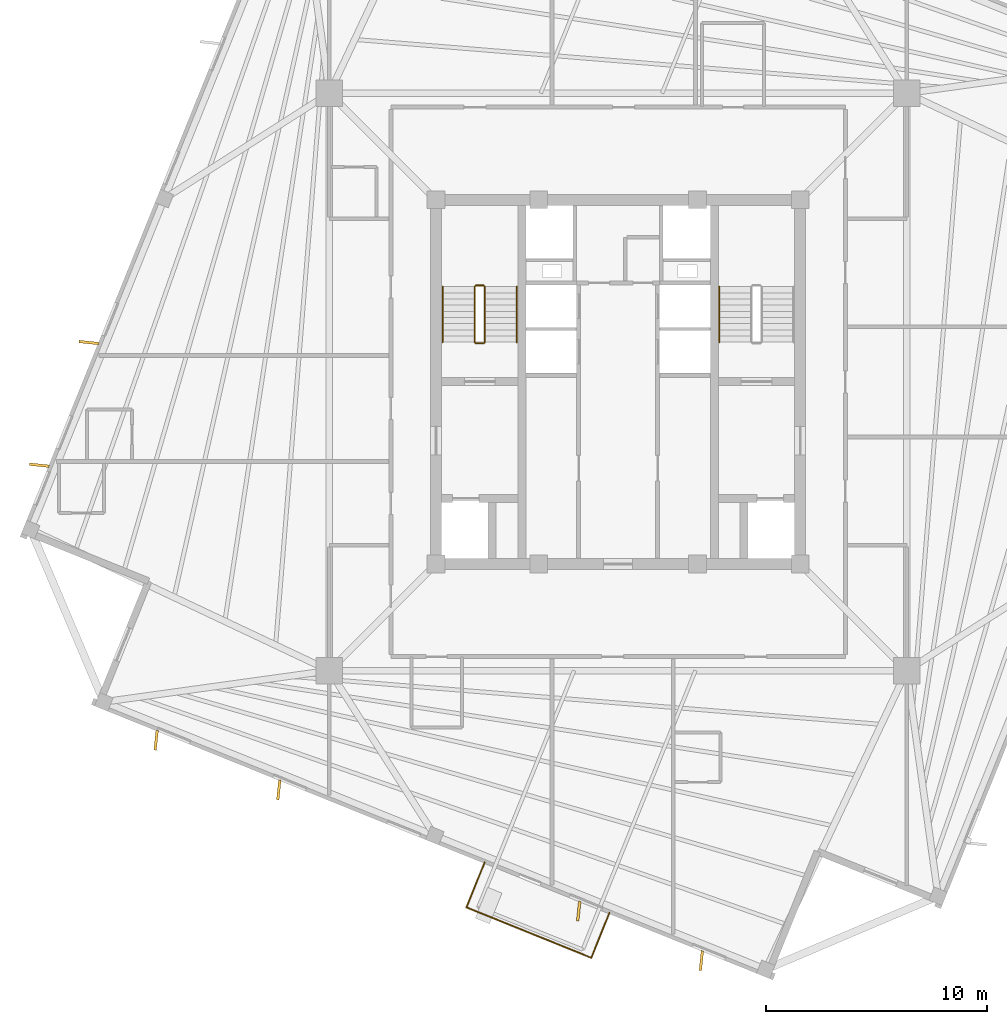
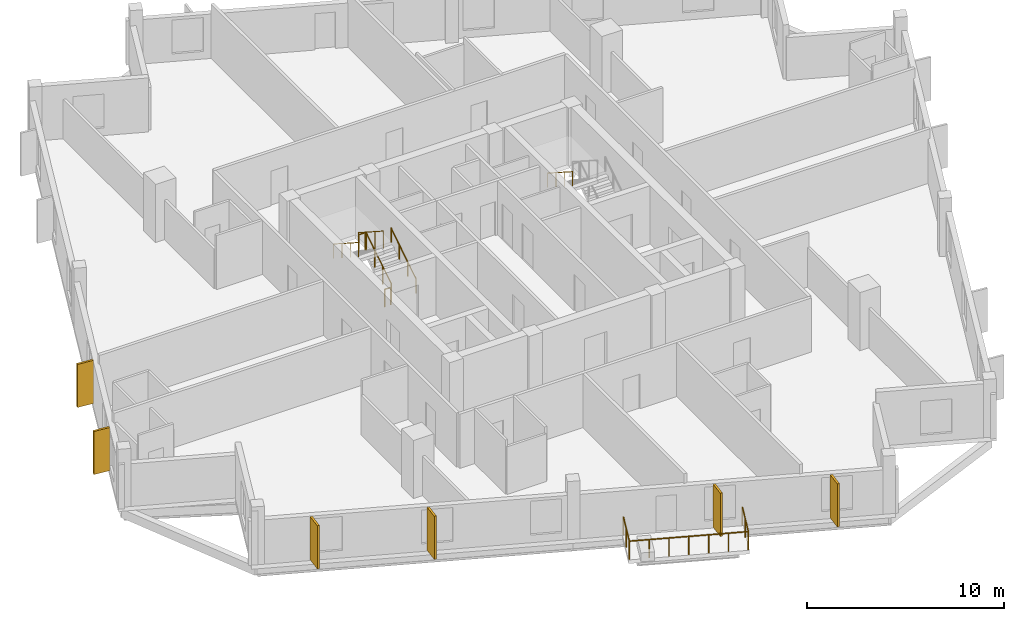
# One storey, part 6 of 8: 10 railings, 6 coverings.
"""IFC4 building model written with IfcOpenShell, lengths in metres."""

from ifc_helpers import new_model, si_unit, direction, frame, origin, origin_2d, place, context, subcontext, project, spatial, rectangle, circle, extrude, source, transform, mapped, material, layer, layer_set, type_object, element, save


model = new_model("IFC4")

# Units and contexts
model_context = context("Model", 3, precision=1e-05, world=origin(), true_north=direction((0.0, 1.0)))
body_context = subcontext(model_context, "Body", "Model", "MODEL_VIEW")
ifc_project = project(units=[si_unit("LENGTHUNIT", "METRE"), si_unit("AREAUNIT", "SQUARE_METRE"), si_unit("VOLUMEUNIT", "CUBIC_METRE"), si_unit("PLANEANGLEUNIT", "RADIAN"), si_unit("MASSUNIT", "GRAM", prefix="KILO"), si_unit("THERMODYNAMICTEMPERATUREUNIT", "KELVIN")], contexts=[model_context])

# Site, building, storey
site_placement = place(None, origin())
site = spatial("IfcSite", under=ifc_project, at=site_placement, CompositionType="ELEMENT")
building_placement = place(site_placement, origin())
building = spatial("IfcBuilding", under=site, at=building_placement, Name="Kosmvard Interchange Tower", CompositionType="ELEMENT")
storey_placement = place(building_placement, frame((0.0, 0.0, 308.39990234375)))
storey = spatial("IfcBuildingStorey", under=building, at=storey_placement, Name="L76", CompositionType="ELEMENT", Elevation=308.39990234375)

# Coverings
ifc_material_1 = material(Name="Architectural anodised aluminium", Category="aluminium")
ifc_layer = layer(ifc_material_1, 0.1201171875, Name="Architectural anodised aluminium")
ifc_layer_set = layer_set([ifc_layer], Name="Architectural anodised aluminium")
covering_type = type_object("IfcCoveringType", Name="Rotating Vertical Sun-Breaker Fin 900x120 Aluminium", PredefinedType="CLADDING", material=ifc_layer_set)
shared_shape_1 = source(origin(), body_context, "Body", "SweptSolid", [
    extrude(rectangle(XDim=0.89990234375, YDim=0.1201171875, at=origin_2d()), origin(), (0.0, 0.0, 1.0), 2.669921875),
])
for number, where, z_axis, x_axis, name in (
    (1, (-23.977783203125, 1.783935546875, 0.0400390625), (0.0, 0.0, 1.0), (-0.994521895368, 0.104528463268, 0.0), "L76 Rotating Vertical Sun-Breaker Fin 10"),
    (2, (-26.223876953125, -3.775390625, 0.0400390625), (0.0, 0.0, 1.0), (-0.994521895368, 0.104528463268, 0.0), "L76 Rotating Vertical Sun-Breaker Fin 11"),
    (3, (-20.932373046875, -16.2412109375, 0.0400390625), (0.0, 0.0, 1.0), (-0.104528463268, -0.994521895368, 0.0), "L76 Rotating Vertical Sun-Breaker Fin 12"),
    (4, (-15.373046875, -18.4873046875, 0.0400390625), (0.0, 0.0, 1.0), (-0.104528463268, -0.994521895368, 0.0), "L76 Rotating Vertical Sun-Breaker Fin 13"),
    (5, (-1.783935546875, -23.977783203125, 0.0400390625), (0.0, 0.0, 1.0), (-0.104528463268, -0.994521895368, 0.0), "L76 Rotating Vertical Sun-Breaker Fin 14"),
    (6, (3.775390625, -26.223876953125, 0.0400390625), (0.0, 0.0, 1.0), (-0.104528463268, -0.994521895368, 0.0), "L76 Rotating Vertical Sun-Breaker Fin 15"),
):
    element("IfcCovering", number, at=place(storey_placement, frame(where, z_axis=z_axis, x_axis=x_axis)), inside=storey, type_object=covering_type, Name=name, PredefinedType="CLADDING", context=body_context, shape_type="MappedRepresentation", body=[
        mapped(shared_shape_1, transform((0.0, 0.0, 0.0), scale=1.0)),
    ])

# Railings
ifc_material_2 = material(Name="Steel S355", Category="steel")
railing_type_1 = type_object("IfcRailingType", Name="Observation & Balcony Glass-Infill Balustrade 1150", PredefinedType="BALUSTRADE", material=ifc_material_2)
shared_shape_2 = source(origin(), body_context, "Body", "SweptSolid", [
    extrude(circle(Radius=0.02392578125, at=origin_2d()), frame((0.0, 0.0, 1.1259765625), z_axis=(0.374545618852, 0.927208487558, 0.0), x_axis=(-0.927208487558, 0.374545618852, 0.0)), (0.0, 0.0, 1.0), 2.199951171875),
    extrude(circle(Radius=0.02099609375, at=origin_2d()), origin(), (0.0, 0.0, 1.0), 1.101806640625),
    extrude(circle(Radius=0.02099609375, at=origin_2d()), frame((0.412109375, 1.02001953125, 0.0)), (0.0, 0.0, 1.0), 1.101806640625),
    extrude(circle(Radius=0.02099609375, at=origin_2d()), frame((0.823974609375, 2.039794921875, 0.0)), (0.0, 0.0, 1.0), 1.101806640625),
])
railing_1_placement = place(storey_placement, frame((-1.2138671875, -26.095458984375, 0.0)))
element("IfcRailing", 7, at=railing_1_placement, inside=storey, type_object=railing_type_1, Name="L76 Outdoor Terrace Guard BAL-L76-W-C", PredefinedType="BALUSTRADE", context=body_context, shape_type="MappedRepresentation", body=[
    mapped(shared_shape_2, transform((0.0, 0.0, 0.0), scale=1.0)),
])
shared_shape_3 = source(origin(), body_context, "Body", "SweptSolid", [
    extrude(circle(Radius=0.02392578125, at=origin_2d()), frame((0.0, 0.0, 1.1259765625), z_axis=(-0.374545618852, -0.927208487558, 0.0), x_axis=(0.927208487558, -0.374545618852, 0.0)), (0.0, 0.0, 1.0), 2.199951171875),
    extrude(circle(Radius=0.02099609375, at=origin_2d()), origin(), (0.0, 0.0, 1.0), 1.101806640625),
    extrude(circle(Radius=0.02099609375, at=origin_2d()), frame((-0.412109375, -1.02001953125, 0.0)), (0.0, 0.0, 1.0), 1.101806640625),
    extrude(circle(Radius=0.02099609375, at=origin_2d()), frame((-0.823974609375, -2.039794921875, 0.0)), (0.0, 0.0, 1.0), 1.101806640625),
])
railing_2_placement = place(storey_placement, frame((-6.045654296875, -21.7705078125, 0.0)))
element("IfcRailing", 8, at=railing_2_placement, inside=storey, type_object=railing_type_1, Name="L76 Outdoor Terrace Guard BAL-L76-W-A", PredefinedType="BALUSTRADE", context=body_context, shape_type="MappedRepresentation", body=[
    mapped(shared_shape_3, transform((0.0, 0.0, 0.0), scale=1.0)),
])
shared_shape_4 = source(origin(), body_context, "Body", "SweptSolid", [
    extrude(circle(Radius=0.02392578125, at=origin_2d()), frame((0.0, 0.0, 1.1259765625), z_axis=(0.927179288599, -0.374617894384, 0.0), x_axis=(0.374617894384, 0.927179288599, 0.0)), (0.0, 0.0, 1.0), 6.099853515625),
    extrude(circle(Radius=0.02099609375, at=origin_2d()), origin(), (0.0, 0.0, 1.0), 1.101806640625),
    extrude(circle(Radius=0.02099609375, at=origin_2d()), frame((0.942626953125, -0.380859375, 0.0)), (0.0, 0.0, 1.0), 1.101806640625),
    extrude(circle(Radius=0.02099609375, at=origin_2d()), frame((1.88525390625, -0.76171875, 0.0)), (0.0, 0.0, 1.0), 1.101806640625),
    extrude(circle(Radius=0.02099609375, at=origin_2d()), frame((2.827880859375, -1.142578125, 0.0)), (0.0, 0.0, 1.0), 1.101806640625),
    extrude(circle(Radius=0.02099609375, at=origin_2d()), frame((3.7705078125, -1.5234375, 0.0)), (0.0, 0.0, 1.0), 1.101806640625),
    extrude(circle(Radius=0.02099609375, at=origin_2d()), frame((4.713134765625, -1.904296875, 0.0)), (0.0, 0.0, 1.0), 1.101806640625),
    extrude(circle(Radius=0.02099609375, at=origin_2d()), frame((5.65576171875, -2.28515625, 0.0)), (0.0, 0.0, 1.0), 1.101806640625),
])
railing_3_placement = place(storey_placement, frame((-6.86962890625, -23.810302734375, 0.0)))
element("IfcRailing", 9, at=railing_3_placement, inside=storey, type_object=railing_type_1, Name="L76 Outdoor Terrace Guard BAL-L76-W-B", PredefinedType="BALUSTRADE", context=body_context, shape_type="MappedRepresentation", body=[
    mapped(shared_shape_4, transform((0.0, 0.0, 0.0), scale=1.0)),
])
railing_type_2 = type_object("IfcRailingType", Name="Stair & Terrace Safety Guardrail 1100 Steel", PredefinedType="GUARDRAIL", material=ifc_material_2)
shared_shape_5 = source(origin(), body_context, "Body", "SweptSolid", [
    extrude(circle(Radius=0.02392578125, at=origin_2d()), frame((0.0, 0.0, 1.076171875), z_axis=(-1.0, 0.0, 0.0), x_axis=(0.0, -1.0, 0.0)), (0.0, 0.0, 1.0), 0.35986328125),
    extrude(circle(Radius=0.02099609375, at=origin_2d()), origin(), (0.0, 0.0, 1.0), 1.052001953125),
    extrude(circle(Radius=0.02099609375, at=origin_2d()), frame((-0.35986328125, 0.0, 0.0)), (0.0, 0.0, 1.0), 1.052001953125),
])
for number, where, name in (
    (10, (-6.090087890625, 4.3701171875, 1.800048828125), "L76 ST-1 stair guard 2"),
    (11, (-6.090087890625, 1.75, 0.0), "L76 ST-1 stair guard 4"),
):
    element("IfcRailing", number, at=place(storey_placement, frame(where)), inside=storey, type_object=railing_type_2, Name=name, PredefinedType="GUARDRAIL", context=body_context, shape_type="MappedRepresentation", body=[
        mapped(shared_shape_5, transform((0.0, 0.0, 0.0), scale=1.0)),
    ])
shared_shape_6 = source(origin(), body_context, "Body", "SweptSolid", [
    extrude(circle(Radius=0.02392578125, at=origin_2d()), frame((0.0, 0.0, 1.076171875), z_axis=(0.0, -0.841162588446, 0.540782303519), x_axis=(1.0, 0.0, 0.0)), (0.0, 0.0, 1.0), 2.995849609375),
    extrude(circle(Radius=0.02099609375, at=origin_2d()), origin(), (0.0, 0.0, 1.0), 1.052001953125),
    extrude(circle(Radius=0.02099609375, at=origin_2d()), frame((0.0, -0.840087890625, 0.5400390625)), (0.0, 0.0, 1.0), 1.052001953125),
    extrude(circle(Radius=0.02099609375, at=origin_2d()), frame((0.0, -1.679931640625, 1.080078125)), (0.0, 0.0, 1.0), 1.052001953125),
    extrude(circle(Radius=0.02099609375, at=origin_2d()), frame((0.0, -2.52001953125, 1.6201171875)), (0.0, 0.0, 1.0), 1.052001953125),
])
railing_4_placement = place(storey_placement, frame((-6.5, 4.320068359375, 1.97998046875)))
element("IfcRailing", 12, at=railing_4_placement, inside=storey, type_object=railing_type_2, Name="L76 ST-1 stair guard 3", PredefinedType="GUARDRAIL", context=body_context, shape_type="MappedRepresentation", body=[
    mapped(shared_shape_6, transform((0.0, 0.0, 0.0), scale=1.0)),
])
railing_type_3 = type_object("IfcRailingType", Name="Wall-Mounted Stair Handrail 900 Steel", PredefinedType="HANDRAIL", material=ifc_material_2)
shared_shape_7 = source(origin(), body_context, "Body", "SweptSolid", [
    extrude(circle(Radius=0.02392578125, at=origin_2d()), frame((0.0, 0.0, 0.8759765625), z_axis=(0.0, -0.841162588446, 0.540782303519), x_axis=(1.0, 0.0, 0.0)), (0.0, 0.0, 1.0), 2.995849609375),
    extrude(circle(Radius=0.02099609375, at=origin_2d()), origin(), (0.0, 0.0, 1.0), 0.851806640625),
    extrude(circle(Radius=0.02099609375, at=origin_2d()), frame((0.0, -0.840087890625, 0.5400390625)), (0.0, 0.0, 1.0), 0.851806640625),
    extrude(circle(Radius=0.02099609375, at=origin_2d()), frame((0.0, -1.679931640625, 1.080078125)), (0.0, 0.0, 1.0), 0.851806640625),
    extrude(circle(Radius=0.02099609375, at=origin_2d()), frame((0.0, -2.52001953125, 1.6201171875)), (0.0, 0.0, 1.0), 0.851806640625),
])
for number, where, name in (
    (13, (-7.949951171875, 4.320068359375, 1.97998046875), "L76 ST-1 stair handrail 2"),
    (14, (4.590087890625, 4.320068359375, 1.97998046875), "L76 ST-2 stair handrail 2"),
):
    element("IfcRailing", number, at=place(storey_placement, frame(where)), inside=storey, type_object=railing_type_3, Name=name, PredefinedType="HANDRAIL", context=body_context, shape_type="MappedRepresentation", body=[
        mapped(shared_shape_7, transform((0.0, 0.0, 0.0), scale=1.0)),
    ])
shared_shape_8 = source(origin(), body_context, "Body", "SweptSolid", [
    extrude(circle(Radius=0.02392578125, at=origin_2d()), frame((0.0, 0.0, 1.076171875), z_axis=(0.0, 0.841199657755, 0.540724639528), x_axis=(-1.0, 0.0, 0.0)), (0.0, 0.0, 1.0), 2.995849609375),
    extrude(circle(Radius=0.02099609375, at=origin_2d()), origin(), (0.0, 0.0, 1.0), 1.052001953125),
    extrude(circle(Radius=0.02099609375, at=origin_2d()), frame((0.0, 0.840087890625, 0.5400390625)), (0.0, 0.0, 1.0), 1.052001953125),
    extrude(circle(Radius=0.02099609375, at=origin_2d()), frame((0.0, 1.679931640625, 1.079833984375)), (0.0, 0.0, 1.0), 1.052001953125),
    extrude(circle(Radius=0.02099609375, at=origin_2d()), frame((0.0, 2.52001953125, 1.619873046875)), (0.0, 0.0, 1.0), 1.052001953125),
])
railing_5_placement = place(storey_placement, frame((-6.0400390625, 1.800048828125, 0.18017578125)))
element("IfcRailing", 15, at=railing_5_placement, inside=storey, type_object=railing_type_2, Name="L76 ST-1 stair guard 1", PredefinedType="GUARDRAIL", context=body_context, shape_type="MappedRepresentation", body=[
    mapped(shared_shape_8, transform((0.0, 0.0, 0.0), scale=1.0)),
])
shared_shape_9 = source(origin(), body_context, "Body", "SweptSolid", [
    extrude(circle(Radius=0.02392578125, at=origin_2d()), frame((0.0, 0.0, 0.8759765625), z_axis=(0.0, 0.841199657755, 0.540724639528), x_axis=(-1.0, 0.0, 0.0)), (0.0, 0.0, 1.0), 2.995849609375),
    extrude(circle(Radius=0.02099609375, at=origin_2d()), origin(), (0.0, 0.0, 1.0), 0.851806640625),
    extrude(circle(Radius=0.02099609375, at=origin_2d()), frame((0.0, 0.840087890625, 0.5400390625)), (0.0, 0.0, 1.0), 0.851806640625),
    extrude(circle(Radius=0.02099609375, at=origin_2d()), frame((0.0, 1.679931640625, 1.079833984375)), (0.0, 0.0, 1.0), 0.851806640625),
    extrude(circle(Radius=0.02099609375, at=origin_2d()), frame((0.0, 2.52001953125, 1.619873046875)), (0.0, 0.0, 1.0), 0.851806640625),
])
railing_6_placement = place(storey_placement, frame((-4.590087890625, 1.800048828125, 0.18017578125)))
element("IfcRailing", 16, at=railing_6_placement, inside=storey, type_object=railing_type_3, Name="L76 ST-1 stair handrail 1", PredefinedType="HANDRAIL", context=body_context, shape_type="MappedRepresentation", body=[
    mapped(shared_shape_9, transform((0.0, 0.0, 0.0), scale=1.0)),
])

save(model, "model.ifc")
